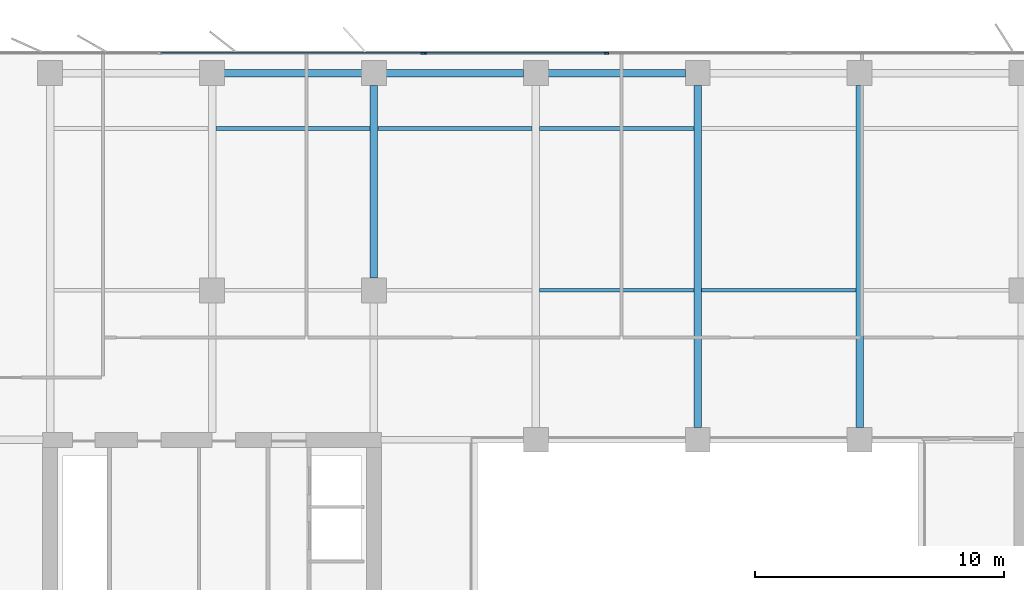
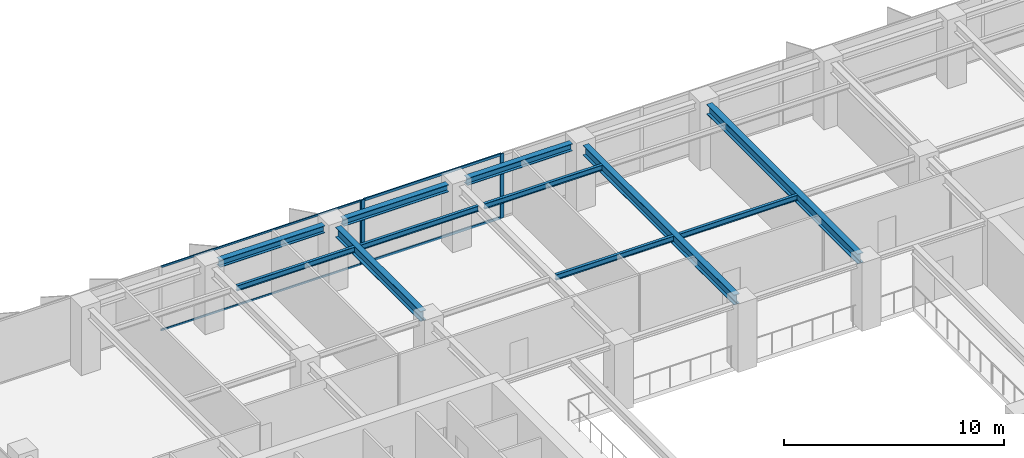
# One storey, part 9 of 22: 11 beams, 7 members, 2 elements without a shape of their own.
"""IFC4 building model written with IfcOpenShell, lengths in metres."""

from ifc_helpers import new_model, si_unit, direction, frame, origin, origin_2d, place, context, subcontext, project, spatial, rectangle, i_section, extrude, material, layer, layer_set, material_profile, profile_set, type_object, element, aggregate, save


model = new_model("IFC4")

# Units and contexts
model_context = context("Model", 3, precision=1e-05, world=origin(), true_north=direction((0.0, 1.0)))
body_context = subcontext(model_context, "Body", "Model", "MODEL_VIEW")
ifc_project = project(units=[si_unit("LENGTHUNIT", "METRE"), si_unit("AREAUNIT", "SQUARE_METRE"), si_unit("VOLUMEUNIT", "CUBIC_METRE"), si_unit("PLANEANGLEUNIT", "RADIAN"), si_unit("MASSUNIT", "GRAM", prefix="KILO")], contexts=[model_context])

# Site, building, storey
site_placement = place(None, origin())
site = spatial("IfcSite", under=ifc_project, at=site_placement, CompositionType="ELEMENT")
building_placement = place(site_placement, origin())
building = spatial("IfcBuilding", under=site, at=building_placement, Name="Putna Gate Headquarters", CompositionType="ELEMENT")
storey_placement = place(building_placement, frame((0.0, 0.0, 151.800048828125)))
storey = spatial("IfcBuildingStorey", under=building, at=storey_placement, Name="L37", CompositionType="ELEMENT", Elevation=151.800048828125)

# Beams
ifc_material_1 = material(Name="Steel S355J2", Category="steel")
ifc_material_profile_1 = material_profile(ifc_material_1, i_section(OverallWidth=0.300048828125, OverallDepth=0.550048828125, WebThickness=0.014892578125, FlangeThickness=0.029052734375, at=origin_2d()), Name="Steel S355J2")
ifc_profile_set_1 = profile_set([ifc_material_profile_1], Name="Steel S355J2")
beam_type_1 = type_object("IfcBeamType", Name="BM-GIRD-Z3-HEB550", PredefinedType="USERDEFINED", material=ifc_profile_set_1)
beam_placement = place(storey_placement, frame((26.0, 39.488037109375, 3.296875), z_axis=(0.0, 1.0, 0.0), x_axis=(-1.0, 0.0, 0.0)))
element("IfcBeam", 1, at=beam_placement, inside=storey, type_object=beam_type_1, Name="L37 North Primary Girder X26-2", ObjectType="GIRDER", PredefinedType="USERDEFINED", context=body_context, shape_type="SweptSolid", body=[
    extrude(i_section(OverallWidth=0.300048828125, OverallDepth=0.550048828125, WebThickness=0.014892578125, FlangeThickness=0.029052734375, at=origin_2d()), origin(), (0.0, 0.0, 1.0), 7.743896484375),
])
for number, where, z_axis, x_axis, name in (
    (2, (39.0, 33.488037109375, 3.296875), (0.0, 1.0, 0.0), (-1.0, 0.0, 0.0), "L37 North Primary Girder X39"),
    (3, (45.5, 33.488037109375, 3.296875), (0.0, 1.0, 0.0), (-1.0, 0.0, 0.0), "L37 North Primary Girder X45"),
):
    element("IfcBeam", number, at=place(storey_placement, frame(where, z_axis=z_axis, x_axis=x_axis)), inside=storey, type_object=beam_type_1, Name=name, ObjectType="GIRDER", PredefinedType="USERDEFINED", context=body_context, shape_type="SweptSolid", body=[
        extrude(i_section(OverallWidth=0.300048828125, OverallDepth=0.550048828125, WebThickness=0.014892578125, FlangeThickness=0.029052734375, at=origin_2d()), origin(), (0.0, 0.0, 1.0), 13.743896484375),
    ])
ifc_material_profile_2 = material_profile(ifc_material_1, i_section(OverallWidth=0.14990234375, OverallDepth=0.300048828125, WebThickness=0.007080078125, FlangeThickness=0.0107421875, at=origin_2d()), Name="Steel S355J2")
ifc_profile_set_2 = profile_set([ifc_material_profile_2], Name="Steel S355J2")
beam_type_2 = type_object("IfcBeamType", Name="BM-SEC-Z3-IPE300", PredefinedType="JOIST", material=ifc_profile_set_2)
for number, where, z_axis, x_axis, name in (
    (4, (19.654052734375, 45.5, 3.421875), (1.0, 0.0, 0.0), (0.0, 1.0, 0.0), "L37 North Secondary Beam 2"),
    (5, (26.154052734375, 45.5, 3.421875), (1.0, 0.0, 0.0), (0.0, 1.0, 0.0), "L37 North Secondary Beam 3"),
    (6, (32.654052734375, 39.0, 3.421875), (1.0, 0.0, 0.0), (0.0, 1.0, 0.0), "L37 North Secondary Beam 4"),
    (7, (32.654052734375, 45.5, 3.421875), (1.0, 0.0, 0.0), (0.0, 1.0, 0.0), "L37 North Secondary Beam 4"),
    (8, (39.154052734375, 39.0, 3.421875), (1.0, 0.0, 0.0), (0.0, 1.0, 0.0), "L37 North Secondary Beam 5"),
):
    element("IfcBeam", number, at=place(storey_placement, frame(where, z_axis=z_axis, x_axis=x_axis)), inside=storey, type_object=beam_type_2, Name=name, PredefinedType="JOIST", context=body_context, shape_type="SweptSolid", body=[
        extrude(i_section(OverallWidth=0.14990234375, OverallDepth=0.300048828125, WebThickness=0.007080078125, FlangeThickness=0.0107421875, at=origin_2d()), origin(), (0.0, 0.0, 1.0), 6.19189453125),
    ])
ifc_material_profile_3 = material_profile(ifc_material_1, i_section(OverallWidth=0.300048828125, OverallDepth=0.39990234375, WebThickness=0.013427734375, FlangeThickness=0.02392578125, at=origin_2d()), Name="Steel S355J2")
ifc_profile_set_3 = profile_set([ifc_material_profile_3], Name="Steel S355J2")
beam_type_3 = type_object("IfcBeamType", Name="BM-SPAN-Z3-HEB400", PredefinedType="SPANDREL", material=ifc_profile_set_3)
for number, where, z_axis, x_axis, name in (
    (9, (19.988037109375, 47.719970703125, 3.3720703125), (1.0, 0.0, 0.0), (0.0, 1.0, 0.0), "L37 N Perimeter Spandrel 2"),
    (10, (26.488037109375, 47.719970703125, 3.3720703125), (1.0, 0.0, 0.0), (0.0, 1.0, 0.0), "L37 N Perimeter Spandrel 3"),
    (11, (32.988037109375, 47.719970703125, 3.3720703125), (1.0, 0.0, 0.0), (0.0, 1.0, 0.0), "L37 N Perimeter Spandrel 4"),
):
    element("IfcBeam", number, at=place(storey_placement, frame(where, z_axis=z_axis, x_axis=x_axis)), inside=storey, type_object=beam_type_3, Name=name, PredefinedType="SPANDREL", context=body_context, shape_type="SweptSolid", body=[
        extrude(i_section(OverallWidth=0.300048828125, OverallDepth=0.39990234375, WebThickness=0.013427734375, FlangeThickness=0.02392578125, at=origin_2d()), origin(), (0.0, 0.0, 1.0), 5.52392578125),
    ])

# Curtain wall, member
ifc_material_2 = material(Name="Anodised bronze aluminium curtain wall", Category="aluminium")
ifc_layer_1 = layer(ifc_material_2, 0.159912109375)
ifc_layer_set_1 = layer_set([ifc_layer_1], Name="Anodised bronze aluminium curtain wall")
curtain_wall_type_1 = type_object("IfcCurtainWallType", Name="CW-SYS-Z3", PredefinedType="USERDEFINED", material=ifc_layer_set_1)
curtain_wall_1_placement = place(storey_placement, origin())
curtain_wall_1 = element("IfcCurtainWall", 12, at=curtain_wall_1_placement, inside=storey, type_object=curtain_wall_type_1, Name="L37 North West Curtain Wall", ObjectType="STICK CURTAIN WALL", PredefinedType="USERDEFINED")
ifc_material_3 = material(Name="Anodised bronze aluminium EN AW-6060", Category="aluminium")
ifc_material_profile_4 = material_profile(ifc_material_3, rectangle(XDim=0.06494140625, YDim=0.159912109375, at=origin_2d()), Name="Anodised bronze aluminium EN AW-6060")
ifc_profile_set_4 = profile_set([ifc_material_profile_4], Name="Anodised bronze aluminium EN AW-6060")
member_type_1 = type_object("IfcMemberType", Name="MULL-CWM-3", PredefinedType="MULLION", material=ifc_profile_set_4)
member_1_placement = place(storey_placement, frame((27.967529296875, 48.52001953125, 0.0), z_axis=(0.0, 0.0, 1.0), x_axis=(0.0, 1.0, 0.0)))
member_1 = element("IfcMember", 13, at=member_1_placement, type_object=member_type_1, Name="CWS-3 mullion 3", PredefinedType="MULLION", context=body_context, shape_type="SweptSolid", body=[
    extrude(rectangle(XDim=0.06494140625, YDim=0.159912109375, at=origin_2d()), origin(), (0.0, 0.0, 1.0), 3.572021484375),
])

# Curtain wall, members
ifc_layer_2 = layer(ifc_material_2, 0.179931640625)
ifc_layer_set_2 = layer_set([ifc_layer_2], Name="Anodised bronze aluminium curtain wall")
curtain_wall_type_2 = type_object("IfcCurtainWallType", Name="CW-SYS-ATR", PredefinedType="USERDEFINED", material=ifc_layer_set_2)
curtain_wall_2_placement = place(storey_placement, origin())
curtain_wall_2 = element("IfcCurtainWall", 14, at=curtain_wall_2_placement, inside=storey, type_object=curtain_wall_type_2, Name="L37 North Atrium Clear Glazing", ObjectType="ATRIUM GLAZING", PredefinedType="USERDEFINED")
ifc_material_profile_5 = material_profile(ifc_material_3, rectangle(XDim=0.070068359375, YDim=0.179931640625, at=origin_2d()), Name="Anodised bronze aluminium EN AW-6060")
ifc_profile_set_5 = profile_set([ifc_material_profile_5], Name="Anodised bronze aluminium EN AW-6060")
member_type_2 = type_object("IfcMemberType", Name="MULL-CWM-AT", PredefinedType="MULLION", material=ifc_profile_set_5)
member_2_placement = place(storey_placement, frame((28.034912109375, 48.52001953125, 0.0), z_axis=(0.0, 0.0, 1.0), x_axis=(0.0, 1.0, 0.0)))
member_2 = element("IfcMember", 15, at=member_2_placement, type_object=member_type_2, Name="CWS-AT mullion 1", PredefinedType="MULLION", context=body_context, shape_type="SweptSolid", body=[
    extrude(rectangle(XDim=0.070068359375, YDim=0.179931640625, at=origin_2d()), origin(), (0.0, 0.0, 1.0), 3.572021484375),
])
member_3_placement = place(storey_placement, frame((35.333251953125, 48.52001953125, 0.0), z_axis=(0.0, 0.0, 1.0), x_axis=(0.0, 1.0, 0.0)))
member_3 = element("IfcMember", 16, at=member_3_placement, type_object=member_type_2, Name="CWS-AT mullion 2", PredefinedType="MULLION", context=body_context, shape_type="SweptSolid", body=[
    extrude(rectangle(XDim=0.070068359375, YDim=0.179931640625, at=origin_2d()), origin(), (0.0, 0.0, 1.0), 3.572021484375),
])

# Member
ifc_material_profile_6 = material_profile(ifc_material_3, rectangle(XDim=0.06005859375, YDim=0.10009765625, at=origin_2d()), Name="Anodised bronze aluminium EN AW-6060")
ifc_profile_set_6 = profile_set([ifc_material_profile_6], Name="Anodised bronze aluminium EN AW-6060")
member_type_3 = type_object("IfcMemberType", Name="TRAN-CWT-3", PredefinedType="USERDEFINED", material=ifc_profile_set_6)
member_4_placement = place(storey_placement, frame((17.4326171875, 48.52001953125, 0.030029296875), z_axis=(1.0, 0.0, 0.0), x_axis=(0.0, 1.0, 0.0)))
member_4 = element("IfcMember", 17, at=member_4_placement, type_object=member_type_3, Name="CWS-3 transom 2.1", ObjectType="TRANSOM", PredefinedType="USERDEFINED", context=body_context, shape_type="SweptSolid", body=[
    extrude(rectangle(XDim=0.06005859375, YDim=0.10009765625, at=origin_2d()), origin(), (0.0, 0.0, 1.0), 10.50244140625),
])

member_5_placement = place(storey_placement, frame((17.4326171875, 48.52001953125, 3.5419921875), z_axis=(1.0, 0.0, 0.0), x_axis=(0.0, 1.0, 0.0)))
member_5 = element("IfcMember", 18, at=member_5_placement, type_object=member_type_3, Name="CWS-3 transom 2.2", ObjectType="TRANSOM", PredefinedType="USERDEFINED", context=body_context, shape_type="SweptSolid", body=[
    extrude(rectangle(XDim=0.06005859375, YDim=0.10009765625, at=origin_2d()), origin(), (0.0, 0.0, 1.0), 10.50244140625),
])

aggregate(curtain_wall_1, [member_1, member_4, member_5])

ifc_material_profile_7 = material_profile(ifc_material_3, rectangle(XDim=0.070068359375, YDim=0.139892578125, at=origin_2d()), Name="Anodised bronze aluminium EN AW-6060")
ifc_profile_set_7 = profile_set([ifc_material_profile_7], Name="Anodised bronze aluminium EN AW-6060")
member_type_4 = type_object("IfcMemberType", Name="TRAN-CWT-AT", PredefinedType="USERDEFINED", material=ifc_profile_set_7)
member_6_placement = place(storey_placement, frame((28.070068359375, 48.52001953125, 0.034912109375), z_axis=(1.0, 0.0, 0.0), x_axis=(0.0, 1.0, 0.0)))
member_6 = element("IfcMember", 19, at=member_6_placement, type_object=member_type_4, Name="CWS-AT transom 1.1", ObjectType="TRANSOM", PredefinedType="USERDEFINED", context=body_context, shape_type="SweptSolid", body=[
    extrude(rectangle(XDim=0.070068359375, YDim=0.139892578125, at=origin_2d()), origin(), (0.0, 0.0, 1.0), 7.228271484375),
])

member_7_placement = place(storey_placement, frame((28.070068359375, 48.52001953125, 3.536865234375), z_axis=(1.0, 0.0, 0.0), x_axis=(0.0, 1.0, 0.0)))
member_7 = element("IfcMember", 20, at=member_7_placement, type_object=member_type_4, Name="CWS-AT transom 1.2", ObjectType="TRANSOM", PredefinedType="USERDEFINED", context=body_context, shape_type="SweptSolid", body=[
    extrude(rectangle(XDim=0.070068359375, YDim=0.139892578125, at=origin_2d()), origin(), (0.0, 0.0, 1.0), 7.228271484375),
])

aggregate(curtain_wall_2, [member_2, member_3, member_6, member_7])

save(model, "model.ifc")
